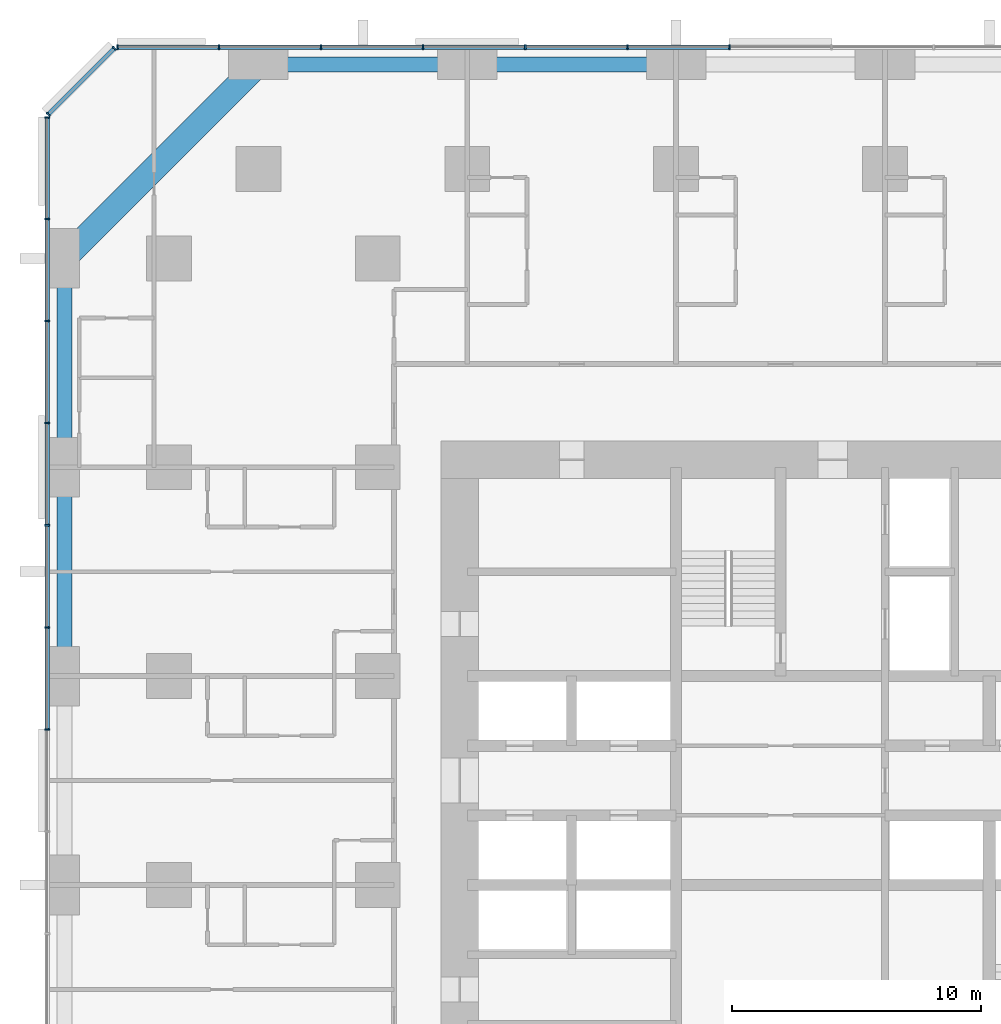
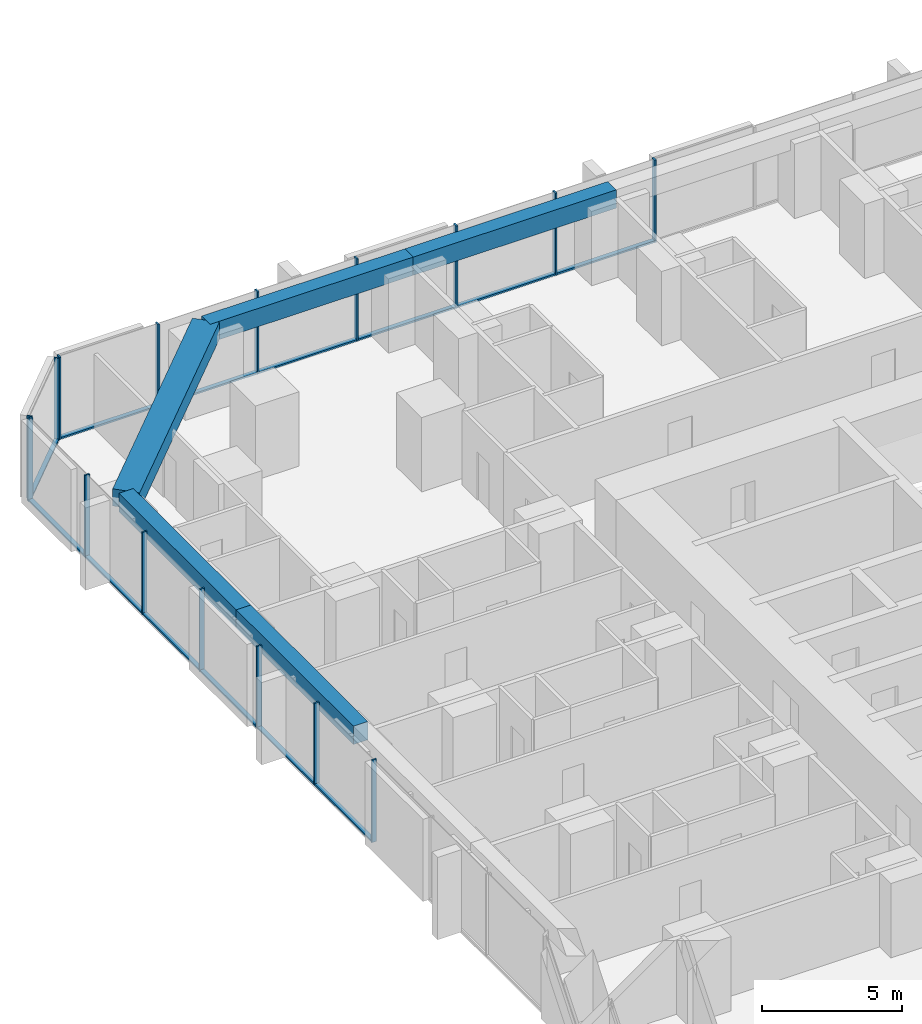
# One storey, part 6 of 17: 29 members, 5 beams, 3 elements without a shape of their own.
"""IFC4 building model written with IfcOpenShell, lengths in metres."""

from ifc_helpers import new_model, si_unit, direction, frame, origin, origin_2d, place, context, subcontext, project, spatial, rectangle, extrude, material, material_profile, profile_set, type_object, element, aggregate, save


model = new_model("IFC4")

# Units and contexts
model_context = context("Model", 3, precision=1e-05, world=origin(), true_north=direction((0.0, 1.0)))
body_context = subcontext(model_context, "Body", "Model", "MODEL_VIEW")
ifc_project = project(units=[si_unit("LENGTHUNIT", "METRE"), si_unit("AREAUNIT", "SQUARE_METRE"), si_unit("VOLUMEUNIT", "CUBIC_METRE"), si_unit("PLANEANGLEUNIT", "RADIAN"), si_unit("MASSUNIT", "GRAM", prefix="KILO")], contexts=[model_context])

# Site, building, storey
site_placement = place(None, origin())
site = spatial("IfcSite", under=ifc_project, at=site_placement, CompositionType="ELEMENT")
building_placement = place(site_placement, origin())
building = spatial("IfcBuilding", under=site, at=building_placement, Name="Dunama Terrace Hotel", CompositionType="ELEMENT")
storey_placement = place(building_placement, frame((0.0, 0.0, 55.800048828125)))
storey = spatial("IfcBuildingStorey", under=building, at=storey_placement, Name="L13", CompositionType="ELEMENT", Elevation=55.800048828125)

# Curtain wall, members
ifc_material_1 = material(Name="Aluminium curtain wall system", Category="aluminium")
curtain_wall_type = type_object("IfcCurtainWallType", Name="Unitised fritted glass wall CW-A", PredefinedType="NOTDEFINED", material=ifc_material_1)
curtain_wall_1_placement = place(storey_placement, origin())
curtain_wall_1 = element("IfcCurtainWall", 1, at=curtain_wall_1_placement, inside=storey, type_object=curtain_wall_type, Name="Unitised fritted glass wall CW-A L13", PredefinedType="NOTDEFINED")
ifc_material_2 = material(Name="Aluminium mullion", Category="aluminium")
ifc_material_profile_1 = material_profile(ifc_material_2, rectangle(XDim=0.06494140625, YDim=0.199951171875, at=origin_2d()), Name="CWA MULLION 65X200")
ifc_profile_set_1 = profile_set([ifc_material_profile_1], Name="Aluminium mullion")
member_type_1 = type_object("IfcMemberType", Name="CWA mullion 65x200", PredefinedType="MULLION", material=ifc_profile_set_1)
member_1_placement = place(storey_placement, frame((27.345947265625, 58.89990234375, 0.0), z_axis=(0.0, 0.0, 1.0), x_axis=(-1.0, 0.0, 0.0)))
member_1 = element("IfcMember", 2, at=member_1_placement, type_object=member_type_1, Name="CWA mullion", PredefinedType="MULLION", context=body_context, shape_type="SweptSolid", body=[
    extrude(rectangle(XDim=0.06494140625, YDim=0.199951171875, at=origin_2d()), origin(), (0.0, 0.0, 1.0), 3.599853515625),
])
member_2_placement = place(storey_placement, frame((23.238037109375, 58.89990234375, 0.0), z_axis=(0.0, 0.0, 1.0), x_axis=(-1.0, 0.0, 0.0)))
member_2 = element("IfcMember", 3, at=member_2_placement, type_object=member_type_1, Name="CWA mullion", PredefinedType="MULLION", context=body_context, shape_type="SweptSolid", body=[
    extrude(rectangle(XDim=0.06494140625, YDim=0.199951171875, at=origin_2d()), origin(), (0.0, 0.0, 1.0), 3.599853515625),
])
member_3_placement = place(storey_placement, frame((19.131103515625, 58.89990234375, 0.0), z_axis=(0.0, 0.0, 1.0), x_axis=(-1.0, 0.0, 0.0)))
member_3 = element("IfcMember", 4, at=member_3_placement, type_object=member_type_1, Name="CWA mullion", PredefinedType="MULLION", context=body_context, shape_type="SweptSolid", body=[
    extrude(rectangle(XDim=0.06494140625, YDim=0.199951171875, at=origin_2d()), origin(), (0.0, 0.0, 1.0), 3.599853515625),
])
member_4_placement = place(storey_placement, frame((15.02294921875, 58.89990234375, 0.0), z_axis=(0.0, 0.0, 1.0), x_axis=(-1.0, 0.0, 0.0)))
member_4 = element("IfcMember", 5, at=member_4_placement, type_object=member_type_1, Name="CWA mullion", PredefinedType="MULLION", context=body_context, shape_type="SweptSolid", body=[
    extrude(rectangle(XDim=0.06494140625, YDim=0.199951171875, at=origin_2d()), origin(), (0.0, 0.0, 1.0), 3.599853515625),
])
member_5_placement = place(storey_placement, frame((10.9150390625, 58.89990234375, 0.0), z_axis=(0.0, 0.0, 1.0), x_axis=(-1.0, 0.0, 0.0)))
member_5 = element("IfcMember", 6, at=member_5_placement, type_object=member_type_1, Name="CWA mullion", PredefinedType="MULLION", context=body_context, shape_type="SweptSolid", body=[
    extrude(rectangle(XDim=0.06494140625, YDim=0.199951171875, at=origin_2d()), origin(), (0.0, 0.0, 1.0), 3.599853515625),
])
member_6_placement = place(storey_placement, frame((6.80810546875, 58.89990234375, 0.0), z_axis=(0.0, 0.0, 1.0), x_axis=(-1.0, 0.0, 0.0)))
member_6 = element("IfcMember", 7, at=member_6_placement, type_object=member_type_1, Name="CWA mullion", PredefinedType="MULLION", context=body_context, shape_type="SweptSolid", body=[
    extrude(rectangle(XDim=0.06494140625, YDim=0.199951171875, at=origin_2d()), origin(), (0.0, 0.0, 1.0), 3.599853515625),
])
member_7_placement = place(storey_placement, frame((2.73291015625, 58.89990234375, 0.0), z_axis=(0.0, 0.0, 1.0), x_axis=(-1.0, 0.0, 0.0)))
member_7 = element("IfcMember", 8, at=member_7_placement, type_object=member_type_1, Name="CWA mullion", PredefinedType="MULLION", context=body_context, shape_type="SweptSolid", body=[
    extrude(rectangle(XDim=0.06494140625, YDim=0.199951171875, at=origin_2d()), origin(), (0.0, 0.0, 1.0), 3.599853515625),
])

curtain_wall_2_placement = place(storey_placement, origin())
curtain_wall_2 = element("IfcCurtainWall", 9, at=curtain_wall_2_placement, inside=storey, type_object=curtain_wall_type, Name="Unitised fritted glass wall CW-A L13", PredefinedType="NOTDEFINED")
member_8_placement = place(storey_placement, frame((2.60595703125, 58.847900390625, 0.0), z_axis=(0.0, 0.0, 1.0), x_axis=(-0.707106781187, -0.707106781187, 0.0)))
member_8 = element("IfcMember", 10, at=member_8_placement, type_object=member_type_1, Name="CWA mullion", PredefinedType="MULLION", context=body_context, shape_type="SweptSolid", body=[
    extrude(rectangle(XDim=0.06494140625, YDim=0.199951171875, at=origin_2d()), origin(), (0.0, 0.0, 1.0), 3.599853515625),
])
member_9_placement = place(storey_placement, frame((-0.048095703125, 56.194091796875, 0.0), z_axis=(0.0, 0.0, 1.0), x_axis=(-0.707106781187, -0.707106781187, 0.0)))
member_9 = element("IfcMember", 11, at=member_9_placement, type_object=member_type_1, Name="CWA mullion", PredefinedType="MULLION", context=body_context, shape_type="SweptSolid", body=[
    extrude(rectangle(XDim=0.06494140625, YDim=0.199951171875, at=origin_2d()), origin(), (0.0, 0.0, 1.0), 3.599853515625),
])

curtain_wall_3_placement = place(storey_placement, origin())
curtain_wall_3 = element("IfcCurtainWall", 12, at=curtain_wall_3_placement, inside=storey, type_object=curtain_wall_type, Name="Unitised fritted glass wall CW-A L13", PredefinedType="NOTDEFINED")
member_10_placement = place(storey_placement, frame((-0.10009765625, 56.06689453125, 0.0), z_axis=(0.0, 0.0, 1.0), x_axis=(0.0, -1.0, 0.0)))
member_10 = element("IfcMember", 13, at=member_10_placement, type_object=member_type_1, Name="CWA mullion", PredefinedType="MULLION", context=body_context, shape_type="SweptSolid", body=[
    extrude(rectangle(XDim=0.06494140625, YDim=0.199951171875, at=origin_2d()), origin(), (0.0, 0.0, 1.0), 3.599853515625),
])
member_11_placement = place(storey_placement, frame((-0.10009765625, 51.991943359375, 0.0), z_axis=(0.0, 0.0, 1.0), x_axis=(0.0, -1.0, 0.0)))
member_11 = element("IfcMember", 14, at=member_11_placement, type_object=member_type_1, Name="CWA mullion", PredefinedType="MULLION", context=body_context, shape_type="SweptSolid", body=[
    extrude(rectangle(XDim=0.06494140625, YDim=0.199951171875, at=origin_2d()), origin(), (0.0, 0.0, 1.0), 3.599853515625),
])
member_12_placement = place(storey_placement, frame((-0.10009765625, 47.885009765625, 0.0), z_axis=(0.0, 0.0, 1.0), x_axis=(0.0, -1.0, 0.0)))
member_12 = element("IfcMember", 15, at=member_12_placement, type_object=member_type_1, Name="CWA mullion", PredefinedType="MULLION", context=body_context, shape_type="SweptSolid", body=[
    extrude(rectangle(XDim=0.06494140625, YDim=0.199951171875, at=origin_2d()), origin(), (0.0, 0.0, 1.0), 3.599853515625),
])
member_13_placement = place(storey_placement, frame((-0.10009765625, 43.777099609375, 0.0), z_axis=(0.0, 0.0, 1.0), x_axis=(0.0, -1.0, 0.0)))
member_13 = element("IfcMember", 16, at=member_13_placement, type_object=member_type_1, Name="CWA mullion", PredefinedType="MULLION", context=body_context, shape_type="SweptSolid", body=[
    extrude(rectangle(XDim=0.06494140625, YDim=0.199951171875, at=origin_2d()), origin(), (0.0, 0.0, 1.0), 3.599853515625),
])
member_14_placement = place(storey_placement, frame((-0.10009765625, 39.6689453125, 0.0), z_axis=(0.0, 0.0, 1.0), x_axis=(0.0, -1.0, 0.0)))
member_14 = element("IfcMember", 17, at=member_14_placement, type_object=member_type_1, Name="CWA mullion", PredefinedType="MULLION", context=body_context, shape_type="SweptSolid", body=[
    extrude(rectangle(XDim=0.06494140625, YDim=0.199951171875, at=origin_2d()), origin(), (0.0, 0.0, 1.0), 3.599853515625),
])
member_15_placement = place(storey_placement, frame((-0.10009765625, 35.56201171875, 0.0), z_axis=(0.0, 0.0, 1.0), x_axis=(0.0, -1.0, 0.0)))
member_15 = element("IfcMember", 18, at=member_15_placement, type_object=member_type_1, Name="CWA mullion", PredefinedType="MULLION", context=body_context, shape_type="SweptSolid", body=[
    extrude(rectangle(XDim=0.06494140625, YDim=0.199951171875, at=origin_2d()), origin(), (0.0, 0.0, 1.0), 3.599853515625),
])
member_16_placement = place(storey_placement, frame((-0.10009765625, 31.4541015625, 0.0), z_axis=(0.0, 0.0, 1.0), x_axis=(0.0, -1.0, 0.0)))
member_16 = element("IfcMember", 19, at=member_16_placement, type_object=member_type_1, Name="CWA mullion", PredefinedType="MULLION", context=body_context, shape_type="SweptSolid", body=[
    extrude(rectangle(XDim=0.06494140625, YDim=0.199951171875, at=origin_2d()), origin(), (0.0, 0.0, 1.0), 3.599853515625),
])

# Member
ifc_material_3 = material(Name="Aluminium transom", Category="aluminium")
ifc_material_profile_2 = material_profile(ifc_material_3, rectangle(XDim=0.179931640625, YDim=0.074951171875, at=origin_2d()), Name="CWA TRANSOM 180X75")
ifc_profile_set_2 = profile_set([ifc_material_profile_2], Name="Aluminium transom")
member_type_2 = type_object("IfcMemberType", Name="CWA transom 180x75", PredefinedType="USERDEFINED", material=ifc_profile_set_2)
member_17_placement = place(storey_placement, frame((27.31396484375, 58.89990234375, 0.037353515625), z_axis=(-1.0, 0.0, 0.0), x_axis=(0.0, -1.0, 0.0)))
member_17 = element("IfcMember", 20, at=member_17_placement, type_object=member_type_2, Name="CWA transom", ObjectType="TRANSOM", PredefinedType="USERDEFINED", context=body_context, shape_type="SweptSolid", body=[
    extrude(rectangle(XDim=0.179931640625, YDim=0.074951171875, at=origin_2d()), origin(), (0.0, 0.0, 1.0), 4.04296875),
])

member_18_placement = place(storey_placement, frame((23.2060546875, 58.89990234375, 0.037353515625), z_axis=(-1.0, 0.0, 0.0), x_axis=(0.0, -1.0, 0.0)))
member_18 = element("IfcMember", 21, at=member_18_placement, type_object=member_type_2, Name="CWA transom", ObjectType="TRANSOM", PredefinedType="USERDEFINED", context=body_context, shape_type="SweptSolid", body=[
    extrude(rectangle(XDim=0.179931640625, YDim=0.074951171875, at=origin_2d()), origin(), (0.0, 0.0, 1.0), 4.04296875),
])

member_19_placement = place(storey_placement, frame((19.097900390625, 58.89990234375, 0.037353515625), z_axis=(-1.0, 0.0, 0.0), x_axis=(0.0, -1.0, 0.0)))
member_19 = element("IfcMember", 22, at=member_19_placement, type_object=member_type_2, Name="CWA transom", ObjectType="TRANSOM", PredefinedType="USERDEFINED", context=body_context, shape_type="SweptSolid", body=[
    extrude(rectangle(XDim=0.179931640625, YDim=0.074951171875, at=origin_2d()), origin(), (0.0, 0.0, 1.0), 4.0419921875),
])

member_20_placement = place(storey_placement, frame((14.990966796875, 58.89990234375, 0.037353515625), z_axis=(-1.0, 0.0, 0.0), x_axis=(0.0, -1.0, 0.0)))
member_20 = element("IfcMember", 23, at=member_20_placement, type_object=member_type_2, Name="CWA transom", ObjectType="TRANSOM", PredefinedType="USERDEFINED", context=body_context, shape_type="SweptSolid", body=[
    extrude(rectangle(XDim=0.179931640625, YDim=0.074951171875, at=origin_2d()), origin(), (0.0, 0.0, 1.0), 4.04296875),
])

member_21_placement = place(storey_placement, frame((10.883056640625, 58.89990234375, 0.037353515625), z_axis=(-1.0, 0.0, 0.0), x_axis=(0.0, -1.0, 0.0)))
member_21 = element("IfcMember", 24, at=member_21_placement, type_object=member_type_2, Name="CWA transom", ObjectType="TRANSOM", PredefinedType="USERDEFINED", context=body_context, shape_type="SweptSolid", body=[
    extrude(rectangle(XDim=0.179931640625, YDim=0.074951171875, at=origin_2d()), origin(), (0.0, 0.0, 1.0), 4.04296875),
])

member_22_placement = place(storey_placement, frame((6.77490234375, 58.89990234375, 0.037353515625), z_axis=(-1.0, 0.0, 0.0), x_axis=(0.0, -1.0, 0.0)))
member_22 = element("IfcMember", 25, at=member_22_placement, type_object=member_type_2, Name="CWA transom", ObjectType="TRANSOM", PredefinedType="USERDEFINED", context=body_context, shape_type="SweptSolid", body=[
    extrude(rectangle(XDim=0.179931640625, YDim=0.074951171875, at=origin_2d()), origin(), (0.0, 0.0, 1.0), 4.010009765625),
])

aggregate(curtain_wall_1, [member_1, member_2, member_3, member_4, member_5, member_6, member_7, member_17, member_18, member_19, member_20, member_21, member_22])

member_23_placement = place(storey_placement, frame((2.5830078125, 58.824951171875, 0.037353515625), z_axis=(-0.707106781187, -0.707106781187, 0.0), x_axis=(0.707106781187, -0.707106781187, 0.0)))
member_23 = element("IfcMember", 26, at=member_23_placement, type_object=member_type_2, Name="CWA transom", ObjectType="TRANSOM", PredefinedType="USERDEFINED", context=body_context, shape_type="SweptSolid", body=[
    extrude(rectangle(XDim=0.179931640625, YDim=0.074951171875, at=origin_2d()), origin(), (0.0, 0.0, 1.0), 3.688232421875),
])

aggregate(curtain_wall_2, [member_8, member_9, member_23])

member_24_placement = place(storey_placement, frame((-0.10009765625, 56.034912109375, 0.037353515625), z_axis=(0.0, -1.0, 0.0), x_axis=(1.0, 0.0, 0.0)))
member_24 = element("IfcMember", 27, at=member_24_placement, type_object=member_type_2, Name="CWA transom", ObjectType="TRANSOM", PredefinedType="USERDEFINED", context=body_context, shape_type="SweptSolid", body=[
    extrude(rectangle(XDim=0.179931640625, YDim=0.074951171875, at=origin_2d()), origin(), (0.0, 0.0, 1.0), 4.010009765625),
])

member_25_placement = place(storey_placement, frame((-0.10009765625, 51.9599609375, 0.037353515625), z_axis=(0.0, -1.0, 0.0), x_axis=(1.0, 0.0, 0.0)))
member_25 = element("IfcMember", 28, at=member_25_placement, type_object=member_type_2, Name="CWA transom", ObjectType="TRANSOM", PredefinedType="USERDEFINED", context=body_context, shape_type="SweptSolid", body=[
    extrude(rectangle(XDim=0.179931640625, YDim=0.074951171875, at=origin_2d()), origin(), (0.0, 0.0, 1.0), 4.04296875),
])

member_26_placement = place(storey_placement, frame((-0.10009765625, 47.85205078125, 0.037353515625), z_axis=(0.0, -1.0, 0.0), x_axis=(1.0, 0.0, 0.0)))
member_26 = element("IfcMember", 29, at=member_26_placement, type_object=member_type_2, Name="CWA transom", ObjectType="TRANSOM", PredefinedType="USERDEFINED", context=body_context, shape_type="SweptSolid", body=[
    extrude(rectangle(XDim=0.179931640625, YDim=0.074951171875, at=origin_2d()), origin(), (0.0, 0.0, 1.0), 4.04296875),
])

member_27_placement = place(storey_placement, frame((-0.10009765625, 43.743896484375, 0.037353515625), z_axis=(0.0, -1.0, 0.0), x_axis=(1.0, 0.0, 0.0)))
member_27 = element("IfcMember", 30, at=member_27_placement, type_object=member_type_2, Name="CWA transom", ObjectType="TRANSOM", PredefinedType="USERDEFINED", context=body_context, shape_type="SweptSolid", body=[
    extrude(rectangle(XDim=0.179931640625, YDim=0.074951171875, at=origin_2d()), origin(), (0.0, 0.0, 1.0), 4.0419921875),
])

member_28_placement = place(storey_placement, frame((-0.10009765625, 39.636962890625, 0.037353515625), z_axis=(0.0, -1.0, 0.0), x_axis=(1.0, 0.0, 0.0)))
member_28 = element("IfcMember", 31, at=member_28_placement, type_object=member_type_2, Name="CWA transom", ObjectType="TRANSOM", PredefinedType="USERDEFINED", context=body_context, shape_type="SweptSolid", body=[
    extrude(rectangle(XDim=0.179931640625, YDim=0.074951171875, at=origin_2d()), origin(), (0.0, 0.0, 1.0), 4.04296875),
])

member_29_placement = place(storey_placement, frame((-0.10009765625, 35.529052734375, 0.037353515625), z_axis=(0.0, -1.0, 0.0), x_axis=(1.0, 0.0, 0.0)))
member_29 = element("IfcMember", 32, at=member_29_placement, type_object=member_type_2, Name="CWA transom", ObjectType="TRANSOM", PredefinedType="USERDEFINED", context=body_context, shape_type="SweptSolid", body=[
    extrude(rectangle(XDim=0.179931640625, YDim=0.074951171875, at=origin_2d()), origin(), (0.0, 0.0, 1.0), 4.04296875),
])

aggregate(curtain_wall_3, [member_10, member_11, member_12, member_13, member_14, member_15, member_16, member_24, member_25, member_26, member_27, member_28, member_29])

# Beams
ifc_material_4 = material(Name="Concrete C50/60", Category="concrete")
ifc_material_profile_3 = material_profile(ifc_material_4, rectangle(XDim=1.0, YDim=0.75, at=origin_2d()), Name="RC 1000x750")
ifc_profile_set_3 = profile_set([ifc_material_profile_3], Name="Concrete C50/60")
beam_type_1 = type_object("IfcBeamType", Name="Edge beam RC 1000x750", PredefinedType="SPANDREL", material=ifc_profile_set_3)
beam_1_placement = place(storey_placement, frame((8.39990234375, 58.199951171875, 3.224853515625), z_axis=(-0.707095714747, -0.707117847453, 0.0), x_axis=(0.707117847453, -0.707095714747, 0.0)))
element("IfcBeam", 33, at=beam_1_placement, inside=storey, type_object=beam_type_1, Name="Corner edge beam under L14", PredefinedType="SPANDREL", context=body_context, shape_type="SweptSolid", body=[
    extrude(rectangle(XDim=1.0, YDim=0.75, at=origin_2d()), origin(), (0.0, 0.0, 1.0), 11.03076171875),
])
ifc_material_5 = material(Name="Concrete C40/50", Category="concrete")
ifc_material_profile_4 = material_profile(ifc_material_5, rectangle(XDim=0.60009765625, YDim=0.800048828125, at=origin_2d()), Name="RC 600x800")
ifc_profile_set_4 = profile_set([ifc_material_profile_4], Name="Concrete C40/50")
beam_type_2 = type_object("IfcBeamType", Name="Edge beam RC 600x800", PredefinedType="SPANDREL", material=ifc_profile_set_4)
for number, where, z_axis, x_axis, name in (
    (34, (0.60009765625, 33.60009765625, 3.199951171875), (0.0, 1.0, 0.0), (-1.0, 0.0, 0.0), "Edge beam under L14"),
    (35, (0.60009765625, 42.0, 3.199951171875), (0.0, 1.0, 0.0), (-1.0, 0.0, 0.0), "Edge beam under L14"),
):
    element("IfcBeam", number, at=place(storey_placement, frame(where, z_axis=z_axis, x_axis=x_axis)), inside=storey, type_object=beam_type_2, Name=name, PredefinedType="SPANDREL", context=body_context, shape_type="SweptSolid", body=[
        extrude(rectangle(XDim=0.60009765625, YDim=0.800048828125, at=origin_2d()), origin(), (0.0, 0.0, 1.0), 8.39990234375),
    ])
beam_2_placement = place(storey_placement, frame((8.39990234375, 58.199951171875, 3.199951171875), z_axis=(1.0, 0.0, 0.0), x_axis=(0.0, 1.0, 0.0)))
element("IfcBeam", 36, at=beam_2_placement, inside=storey, type_object=beam_type_2, Name="Edge beam under L14", PredefinedType="SPANDREL", context=body_context, shape_type="SweptSolid", body=[
    extrude(rectangle(XDim=0.60009765625, YDim=0.800048828125, at=origin_2d()), origin(), (0.0, 0.0, 1.0), 8.400146484375),
])
beam_3_placement = place(storey_placement, frame((16.800048828125, 58.199951171875, 3.199951171875), z_axis=(1.0, 0.0, 0.0), x_axis=(0.0, 1.0, 0.0)))
element("IfcBeam", 37, at=beam_3_placement, inside=storey, type_object=beam_type_2, Name="Edge beam under L14", PredefinedType="SPANDREL", context=body_context, shape_type="SweptSolid", body=[
    extrude(rectangle(XDim=0.60009765625, YDim=0.800048828125, at=origin_2d()), origin(), (0.0, 0.0, 1.0), 8.39990234375),
])

save(model, "model.ifc")
